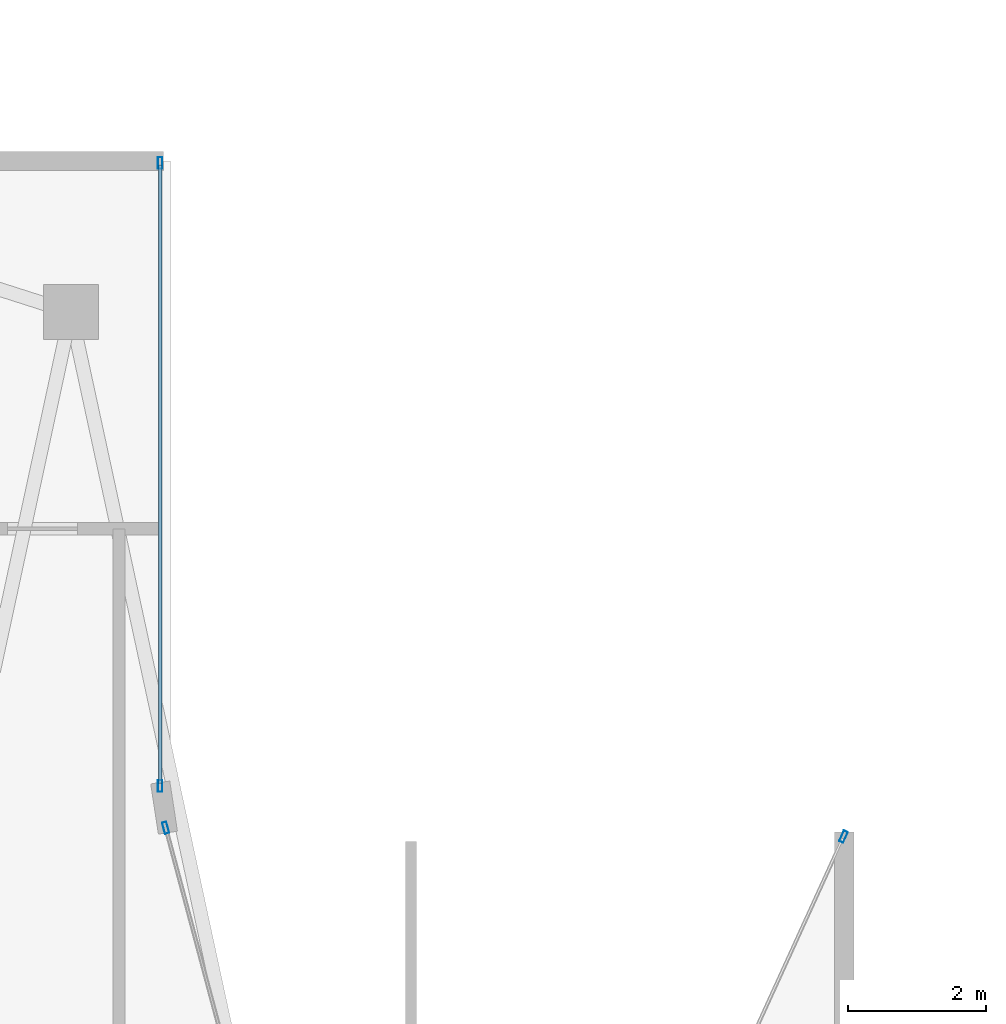
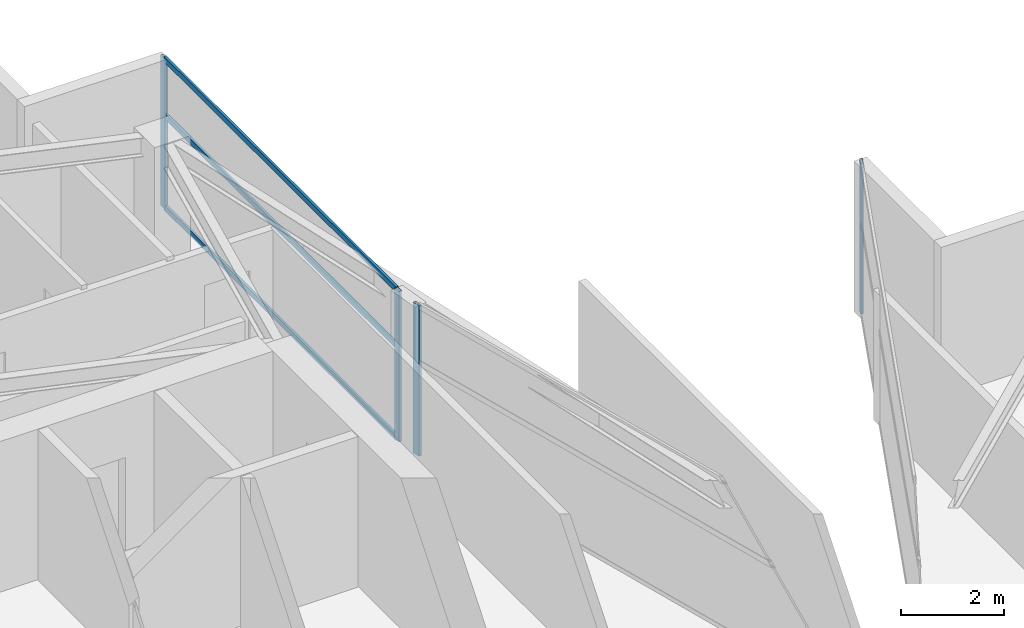
# One storey, part 19 of 27: 7 members, 3 elements without a shape of their own.
"""IFC4 building model written with IfcOpenShell, lengths in metres."""

from ifc_helpers import new_model, si_unit, direction, frame, origin, origin_2d, place, context, subcontext, project, spatial, hollow_rectangle, extrude, material, layer, layer_set, material_profile, profile_set, type_object, element, aggregate, save


model = new_model("IFC4")

# Units and contexts
model_context = context("Model", 3, precision=1e-05, world=origin(), true_north=direction((0.0, 1.0)))
body_context = subcontext(model_context, "Body", "Model", "MODEL_VIEW")
ifc_project = project(units=[si_unit("LENGTHUNIT", "METRE"), si_unit("AREAUNIT", "SQUARE_METRE"), si_unit("VOLUMEUNIT", "CUBIC_METRE"), si_unit("PLANEANGLEUNIT", "RADIAN"), si_unit("MASSUNIT", "GRAM", prefix="KILO")], contexts=[model_context])

# Site, building, storey
site_placement = place(None, origin())
site = spatial("IfcSite", under=ifc_project, at=site_placement, CompositionType="ELEMENT")
building_placement = place(site_placement, origin())
building = spatial("IfcBuilding", under=site, at=building_placement, Name="Calvorn Quay Hotel", CompositionType="ELEMENT")
storey_placement = place(building_placement, frame((0.0, 0.0, 294.89990234375)))
storey = spatial("IfcBuildingStorey", under=building, at=storey_placement, Name="L73", CompositionType="ELEMENT", Elevation=294.89990234375)

# Curtain wall, member
ifc_material_1 = material(Name="Champagne Bronze Anodised Aluminium and Low-E Glass", Category="aluminium")
ifc_layer = layer(ifc_material_1, 0.219970703125)
ifc_layer_set = layer_set([ifc_layer], Name="CW-SYS-Z4")
curtain_wall_type = type_object("IfcCurtainWallType", Name="CW-SYS-Z4", PredefinedType="NOTDEFINED", material=ifc_layer_set)
curtain_wall_1_placement = place(storey_placement, origin())
curtain_wall_1 = element("IfcCurtainWall", 1, at=curtain_wall_1_placement, inside=storey, type_object=curtain_wall_type, Name="Inner Court Curtain Wall L73-NE1", PredefinedType="NOTDEFINED")
ifc_material_2 = material(Name="Champagne Bronze Anodised Aluminium 6063-T6", Category="aluminium")
ifc_material_profile_1 = material_profile(ifc_material_2, hollow_rectangle(XDim=0.06494140625, YDim=0.169921875, WallThickness=0.00341796875, at=origin_2d()), Name="ALU-M170x65x3.5")
ifc_profile_set_1 = profile_set([ifc_material_profile_1], Name="Champagne Bronze Anodised Aluminium 6063-T6")
member_type_1 = type_object("IfcMemberType", Name="CW-SYS-Z4-MUL", PredefinedType="MULLION", material=ifc_profile_set_1)
member_1_placement = place(storey_placement, frame((27.78759765625, 37.97265625, 0.0), z_axis=(0.0, 0.0, 1.0), x_axis=(0.909907665981, -0.414810847724, 0.0)))
member_1 = element("IfcMember", 2, at=member_1_placement, type_object=member_type_1, Name="CW-L73-NE1 mullion 1", PredefinedType="MULLION", context=body_context, shape_type="SweptSolid", body=[
    extrude(hollow_rectangle(XDim=0.06494140625, YDim=0.169921875, WallThickness=0.00341796875, at=origin_2d()), origin(), (0.0, 0.0, 1.0), 3.56005859375),
])
aggregate(curtain_wall_1, [member_1])

curtain_wall_2_placement = place(storey_placement, origin())
curtain_wall_2 = element("IfcCurtainWall", 3, at=curtain_wall_2_placement, inside=storey, type_object=curtain_wall_type, Name="Inner Court Curtain Wall L73-IC1", PredefinedType="NOTDEFINED")
member_2_placement = place(storey_placement, frame((17.9296875, 38.10107421875, 0.0), z_axis=(0.0, 0.0, 1.0), x_axis=(-0.96593652056, -0.25877913024, 0.0)))
member_2 = element("IfcMember", 4, at=member_2_placement, type_object=member_type_1, Name="CW-L73-IC1 mullion 2", PredefinedType="MULLION", context=body_context, shape_type="SweptSolid", body=[
    extrude(hollow_rectangle(XDim=0.06494140625, YDim=0.169921875, WallThickness=0.00341796875, at=origin_2d()), origin(), (0.0, 0.0, 1.0), 3.56005859375),
])
aggregate(curtain_wall_2, [member_2])

# Curtain wall, members
curtain_wall_3_placement = place(storey_placement, origin())
curtain_wall_3 = element("IfcCurtainWall", 5, at=curtain_wall_3_placement, inside=storey, type_object=curtain_wall_type, Name="Inner Court Curtain Wall L73-IC2", PredefinedType="NOTDEFINED")
member_3_placement = place(storey_placement, frame((17.85009765625, 38.7099609375, 0.0), z_axis=(0.0, 0.0, 1.0), x_axis=(-1.0, 0.0, 0.0)))
member_3 = element("IfcMember", 6, at=member_3_placement, type_object=member_type_1, Name="CW-L73-IC2 mullion 1", PredefinedType="MULLION", context=body_context, shape_type="SweptSolid", body=[
    extrude(hollow_rectangle(XDim=0.06494140625, YDim=0.169921875, WallThickness=0.00341796875, at=origin_2d()), origin(), (0.0, 0.0, 1.0), 3.56005859375),
])
member_4_placement = place(storey_placement, frame((17.85009765625, 47.77001953125, 0.0), z_axis=(0.0, 0.0, 1.0), x_axis=(-1.0, 0.0, 0.0)))
member_4 = element("IfcMember", 7, at=member_4_placement, type_object=member_type_1, Name="CW-L73-IC2 mullion 2", PredefinedType="MULLION", context=body_context, shape_type="SweptSolid", body=[
    extrude(hollow_rectangle(XDim=0.06494140625, YDim=0.169921875, WallThickness=0.00341796875, at=origin_2d()), origin(), (0.0, 0.0, 1.0), 3.56005859375),
])
ifc_material_3 = material(Name="Champagne Bronze Anodised Aluminium 6063-T6", Category="aluminium")
ifc_material_profile_2 = material_profile(ifc_material_3, hollow_rectangle(XDim=0.054931640625, YDim=0.1298828125, WallThickness=0.003173828125, at=origin_2d()), Name="ALU-T130x55x3.2")
ifc_profile_set_2 = profile_set([ifc_material_profile_2], Name="Champagne Bronze Anodised Aluminium 6063-T6")
member_type_2 = type_object("IfcMemberType", Name="CW-SYS-Z4-TRN", PredefinedType="USERDEFINED", material=ifc_profile_set_2)
member_5_placement = place(storey_placement, frame((17.85009765625, 38.739990234375, 0.030029296875), z_axis=(0.0, 1.0, 0.0), x_axis=(-1.0, 0.0, 0.0)))
member_5 = element("IfcMember", 8, at=member_5_placement, type_object=member_type_2, Name="CW-L73-IC2 transom 1.1", ObjectType="TRANSOM", PredefinedType="USERDEFINED", context=body_context, shape_type="SweptSolid", body=[
    extrude(hollow_rectangle(XDim=0.054931640625, YDim=0.1298828125, WallThickness=0.003173828125, at=origin_2d()), origin(), (0.0, 0.0, 1.0), 9.0),
])
member_6_placement = place(storey_placement, frame((17.85009765625, 38.739990234375, 2.2001953125), z_axis=(0.0, 1.0, 0.0), x_axis=(-1.0, 0.0, 0.0)))
member_6 = element("IfcMember", 9, at=member_6_placement, type_object=member_type_2, Name="CW-L73-IC2 transom 1.2", ObjectType="TRANSOM", PredefinedType="USERDEFINED", context=body_context, shape_type="SweptSolid", body=[
    extrude(hollow_rectangle(XDim=0.054931640625, YDim=0.1298828125, WallThickness=0.003173828125, at=origin_2d()), origin(), (0.0, 0.0, 1.0), 9.0),
])
member_7_placement = place(storey_placement, frame((17.85009765625, 38.739990234375, 3.530029296875), z_axis=(0.0, 1.0, 0.0), x_axis=(-1.0, 0.0, 0.0)))
member_7 = element("IfcMember", 10, at=member_7_placement, type_object=member_type_2, Name="CW-L73-IC2 transom 1.3", ObjectType="TRANSOM", PredefinedType="USERDEFINED", context=body_context, shape_type="SweptSolid", body=[
    extrude(hollow_rectangle(XDim=0.054931640625, YDim=0.1298828125, WallThickness=0.003173828125, at=origin_2d()), origin(), (0.0, 0.0, 1.0), 9.0),
])
aggregate(curtain_wall_3, [member_3, member_4, member_5, member_6, member_7])

save(model, "model.ifc")
